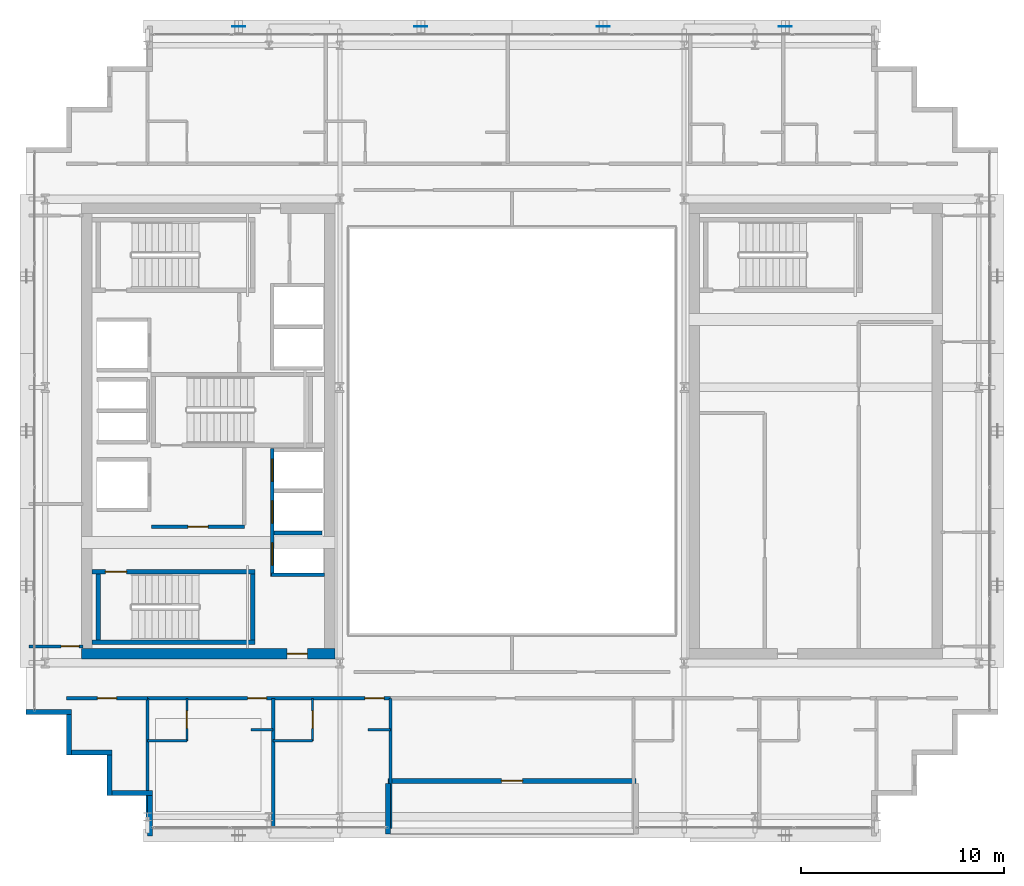
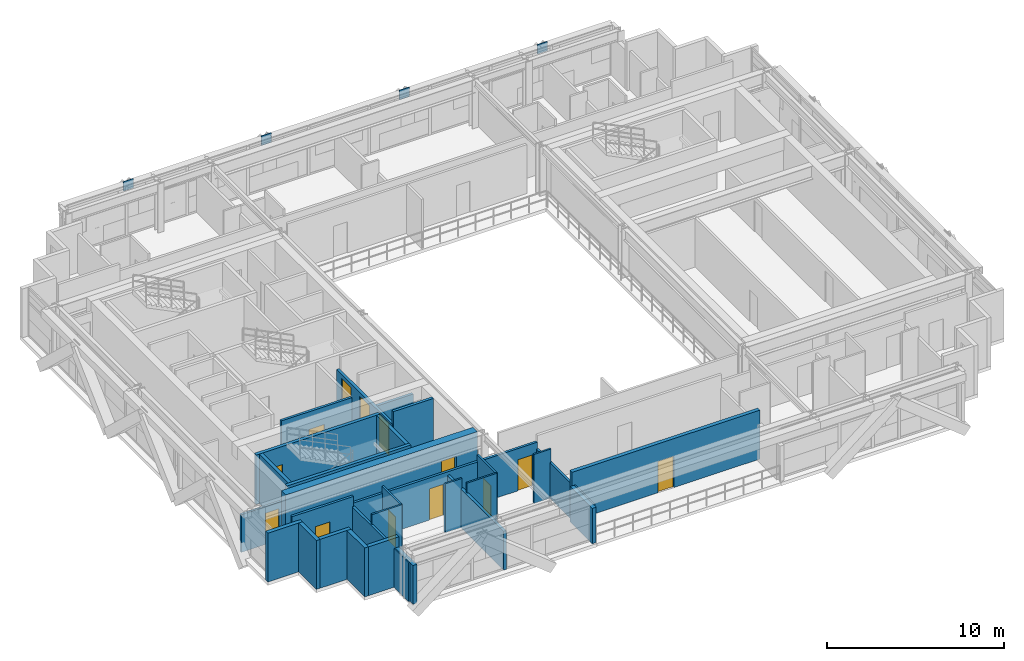
# One storey, part 23 of 31: 29 walls, 13 doors, 4 plates, 13 openings.
"""IFC4 building model written with IfcOpenShell, lengths in metres."""

from ifc_helpers import new_model, si_unit, direction, frame, frame_2d, origin, origin_2d, place, context, subcontext, project, spatial, rectangle, extrude, source, transform, mapped, material, layer, layer_set, type_object, element, fill, save


model = new_model("IFC4")

# Units and contexts
model_context = context("Model", 3, precision=1e-05, world=origin(), true_north=direction((0.0, 1.0)))
body_context = subcontext(model_context, "Body", "Model", "MODEL_VIEW")
ifc_project = project(units=[si_unit("LENGTHUNIT", "METRE"), si_unit("AREAUNIT", "SQUARE_METRE"), si_unit("VOLUMEUNIT", "CUBIC_METRE"), si_unit("PLANEANGLEUNIT", "RADIAN"), si_unit("MASSUNIT", "GRAM", prefix="KILO")], contexts=[model_context])

# Site, building, storey
site_placement = place(None, origin())
site = spatial("IfcSite", under=ifc_project, at=site_placement, CompositionType="ELEMENT")
building_placement = place(site_placement, origin())
building = spatial("IfcBuilding", under=site, at=building_placement, Name="Ocotamira Hotel", CompositionType="ELEMENT")
storey_placement = place(building_placement, frame((0.0, 0.0, 181.199951171875)))
storey = spatial("IfcBuildingStorey", under=building, at=storey_placement, Name="L45", CompositionType="ELEMENT", Elevation=181.199951171875)

# Plates
ifc_material_1 = material(Name="Pale-metal coated steel ASTM A572 Grade 50", Category="steel")
ifc_layer_1 = layer(ifc_material_1, 0.0400390625)
ifc_layer_set_1 = layer_set([ifc_layer_1], Name="Pale-metal coated steel ASTM A572 Grade 50")
plate_type = type_object("IfcPlateType", Name="PLT-GUSSET-40", PredefinedType="SHEET", material=ifc_layer_set_1)
shared_shape_1 = source(origin(), body_context, "Body", "SweptSolid", [
    extrude(rectangle(XDim=0.64990234375, YDim=0.0400390625, at=origin_2d()), origin(), (0.0, 0.0, 1.0), 0.64990234375),
])
for number, where, z_axis, x_axis, name in (
    (1, (18.5, 45.969970703125, 2.795166015625), (0.0, 0.0, 1.0), (1.0, 0.0, 0.0), "L45 Exoskeleton Diagrid N0.1 End Gusset B"),
    (2, (27.5, 45.969970703125, 2.795166015625), (0.0, 0.0, 1.0), (1.0, 0.0, 0.0), "L45 Exoskeleton Diagrid N1.1 End Gusset B"),
    (3, (36.5, 45.969970703125, 2.795166015625), (0.0, 0.0, 1.0), (1.0, 0.0, 0.0), "L45 Exoskeleton Diagrid N2.1 End Gusset B"),
    (4, (45.5, 45.969970703125, 2.795166015625), (0.0, 0.0, 1.0), (1.0, 0.0, 0.0), "L45 Exoskeleton Diagrid N3.1 End Gusset B"),
):
    element("IfcPlate", number, at=place(storey_placement, frame(where, z_axis=z_axis, x_axis=x_axis)), inside=storey, type_object=plate_type, Name=name, PredefinedType="SHEET", context=body_context, shape_type="MappedRepresentation", body=[
        mapped(shared_shape_1, transform((0.0, 0.0, 0.0), scale=1.0)),
    ])

# Wall, opening, door
ifc_material_2 = material(Name="Concrete C50/60", Category="concrete")
ifc_layer_2 = layer(ifc_material_2, 0.5)
ifc_layer_set_2 = layer_set([ifc_layer_2], Name="Concrete C50/60")
wall_type_1 = type_object("IfcWallType", Name="WL-CORE-500", PredefinedType="SHEAR", material=ifc_layer_set_2)
wall_1_placement = place(storey_placement, frame((10.75, 15.0, 0.0), z_axis=(0.0, 0.0, 1.0), x_axis=(1.0, 0.0, 0.0)))
wall_1 = element("IfcWall", 5, at=wall_1_placement, inside=storey, type_object=wall_type_1, Name="L45 Shear Core Wall WCORE-S", PredefinedType="SHEAR", context=body_context, shape_type="SweptSolid", body=[
    extrude(rectangle(XDim=12.5, YDim=0.5, at=frame_2d((6.25, 0.0))), origin(), (0.0, 0.0, 1.0), 3.3701171875),
])
opening_1_placement = place(wall_1_placement, frame((10.14990234375, 0.0, 0.0)))
opening_1 = element("IfcOpeningElement", 6, at=opening_1_placement, cuts=wall_1, Name="Opening D-FR2", PredefinedType="OPENING", context=body_context, shape_type="SweptSolid", body=[
    extrude(rectangle(XDim=1.0, YDim=2.14990234375, at=frame_2d((0.5, 1.074951171875))), frame((0.0, 0.260009765625, 0.0), z_axis=(0.0, -1.0, 0.0), x_axis=(1.0, 0.0, 0.0)), (0.0, 0.0, 1.0), 0.52001953125),
])
ifc_material_3 = material(Name="Fire-rated acoustic timber-veneer door", Category="wood")
door_type_1 = type_object("IfcDoorType", Name="DR-FIRE-1000", OperationType="NOTDEFINED", PredefinedType="DOOR", material=ifc_material_3)
shared_shape_2 = source(origin(), body_context, "Body", "SweptSolid", [
    extrude(rectangle(XDim=1.0, YDim=2.14990234375, at=frame_2d((0.5, 1.074951171875))), frame((0.0, 0.02490234375, 0.0), z_axis=(0.0, -1.0, 0.0), x_axis=(1.0, 0.0, 0.0)), (0.0, 0.0, 1.0), 0.050048828125),
])
door_1_placement = place(opening_1_placement, origin())
door_1 = element("IfcDoor", 7, at=door_1_placement, inside=storey, type_object=door_type_1, Name="L45 Door ID-L45-WLOB-S-D [ID-L45-WLOB-S-D]", OperationType="SINGLE_SWING_LEFT", OverallHeight=2.14990234375, OverallWidth=1.0, PredefinedType="DOOR", context=body_context, shape_type="MappedRepresentation", body=[
    mapped(shared_shape_2, transform((0.0, 0.0, 0.0), scale=1.0)),
])
fill(opening_1, door_1)

# Walls
ifc_material_4 = material(Name="Precast concrete C45/55", Category="concrete")
ifc_layer_3 = layer(ifc_material_4, 0.25)
ifc_layer_set_3 = layer_set([ifc_layer_3], Name="Precast concrete C45/55")
wall_type_2 = type_object("IfcWallType", Name="WL-EXT-SER-250", PredefinedType="SOLIDWALL", material=ifc_layer_set_3)
wall_2_placement = place(storey_placement, frame((8.0, 12.125, 0.0), z_axis=(0.0, 0.0, 1.0), x_axis=(1.0, 0.0, 0.0)))
element("IfcWall", 8, at=wall_2_placement, inside=storey, type_object=wall_type_2, Name="L45 Serrated Corner Wall 19", PredefinedType="SOLIDWALL", context=body_context, shape_type="SweptSolid", body=[
    extrude(rectangle(XDim=2.25, YDim=0.25, at=frame_2d((1.125, 0.0))), origin(), (0.0, 0.0, 1.0), 3.3701171875),
])
for number, where, z_axis, x_axis, name in (
    (9, (10.125, 12.0, 0.0), (0.0, 0.0, 1.0), (0.0, -1.0, 0.0), "L45 Serrated Corner Wall 20"),
    (10, (10.25, 10.125, 0.0), (0.0, 0.0, 1.0), (1.0, 0.0, 0.0), "L45 Serrated Corner Wall 21"),
    (11, (12.125, 10.0, 0.0), (0.0, 0.0, 1.0), (0.0, -1.0, 0.0), "L45 Serrated Corner Wall 22"),
    (12, (12.25, 8.125, 0.0), (0.0, 0.0, 1.0), (1.0, 0.0, 0.0), "L45 Serrated Corner Wall 23"),
):
    element("IfcWall", number, at=place(storey_placement, frame(where, z_axis=z_axis, x_axis=x_axis)), inside=storey, type_object=wall_type_2, Name=name, PredefinedType="SOLIDWALL", context=body_context, shape_type="SweptSolid", body=[
        extrude(rectangle(XDim=2.0, YDim=0.25, at=frame_2d((1.0, 0.0))), origin(), (0.0, 0.0, 1.0), 3.3701171875),
    ])
wall_3_placement = place(storey_placement, frame((14.125, 8.0, 0.0), z_axis=(0.0, 0.0, 1.0), x_axis=(0.0, -1.0, 0.0)))
element("IfcWall", 13, at=wall_3_placement, inside=storey, type_object=wall_type_2, Name="L45 Serrated Corner Wall 24", PredefinedType="SOLIDWALL", context=body_context, shape_type="SweptSolid", body=[
    extrude(rectangle(XDim=2.0, YDim=0.25, at=frame_2d((1.0, 0.0))), origin(), (0.0, 0.0, 1.0), 2.677001953125),
])

# Wall, opening, door
wall_4_placement = place(storey_placement, frame((25.875, 8.72509765625, 0.0), z_axis=(0.0, 0.0, 1.0), x_axis=(1.0, 0.0, 0.0)))
wall_4 = element("IfcWall", 14, at=wall_4_placement, inside=storey, type_object=wall_type_2, Name="L45 Sky Terrace Back Wall 1", PredefinedType="SOLIDWALL", context=body_context, shape_type="SweptSolid", body=[
    extrude(rectangle(XDim=12.25, YDim=0.25, at=frame_2d((6.125, 0.0))), origin(), (0.0, 0.0, 1.0), 3.3701171875),
])
opening_2_placement = place(wall_4_placement, frame((5.60009765625, 0.0, 0.0)))
opening_2 = element("IfcOpeningElement", 15, at=opening_2_placement, cuts=wall_4, Name="Opening ED-3", PredefinedType="OPENING", context=body_context, shape_type="SweptSolid", body=[
    extrude(rectangle(XDim=1.050048828125, YDim=2.14990234375, at=frame_2d((0.52490234375, 1.074951171875))), frame((0.0, 0.135009765625, 0.0), z_axis=(0.0, -1.0, 0.0), x_axis=(1.0, 0.0, 0.0)), (0.0, 0.0, 1.0), 0.27001953125),
])
ifc_material_5 = material(Name="Thermally broken aluminium glazed door", Category="aluminium")
door_type_2 = type_object("IfcDoorType", Name="DR-TERR-1050", OperationType="NOTDEFINED", PredefinedType="DOOR", material=ifc_material_5)
shared_shape_3 = source(origin(), body_context, "Body", "SweptSolid", [
    extrude(rectangle(XDim=1.050048828125, YDim=2.14990234375, at=frame_2d((0.52490234375, 1.074951171875))), frame((0.0, 0.02490234375, 0.0), z_axis=(0.0, -1.0, 0.0), x_axis=(1.0, 0.0, 0.0)), (0.0, 0.0, 1.0), 0.050048828125),
])
door_2_placement = place(opening_2_placement, origin())
door_2 = element("IfcDoor", 16, at=door_2_placement, inside=storey, type_object=door_type_2, Name="L45 Sky Terrace Access Door 1 [ED-BAL-L45-1]", OperationType="SINGLE_SWING_LEFT", OverallHeight=2.14990234375, OverallWidth=1.050048828125, PredefinedType="DOOR", context=body_context, shape_type="MappedRepresentation", body=[
    mapped(shared_shape_3, transform((0.0, 0.0, 0.0), scale=1.0)),
])
fill(opening_2, door_2)

# Wall
wall_5_placement = place(storey_placement, frame((25.875, 6.10009765625, 0.0), z_axis=(0.0, 0.0, 1.0), x_axis=(0.0, 1.0, 0.0)))
element("IfcWall", 17, at=wall_5_placement, inside=storey, type_object=wall_type_2, Name="L45 Sky Terrace Return Wall 1L", PredefinedType="SOLIDWALL", context=body_context, shape_type="SweptSolid", body=[
    extrude(rectangle(XDim=2.5, YDim=0.25, at=frame_2d((1.25, 0.0))), origin(), (0.0, 0.0, 1.0), 2.443115234375),
])

# Wall, opening, door
ifc_material_6 = material(Name="Acoustic double-layer fire gypsum board partition", Category="gypsum")
ifc_layer_4 = layer(ifc_material_6, 0.159912109375)
ifc_layer_set_4 = layer_set([ifc_layer_4], Name="Acoustic double-layer fire gypsum board partition")
wall_type_3 = type_object("IfcWallType", Name="WL-FIRE-160", PredefinedType="PARTITIONING", material=ifc_layer_set_4)
wall_6_placement = place(storey_placement, frame((14.199951171875, 21.27001953125, 0.0), z_axis=(0.0, 0.0, 1.0), x_axis=(1.0, 0.0, 0.0)))
wall_6 = element("IfcWall", 18, at=wall_6_placement, inside=storey, type_object=wall_type_3, Name="L45 Interior Wall PW-L45-FSAE1-S", PredefinedType="PARTITIONING", context=body_context, shape_type="SweptSolid", body=[
    extrude(rectangle(XDim=4.580078125, YDim=0.159912109375, at=frame_2d((2.2900390625, 0.0))), origin(), (0.0, 0.0, 1.0), 3.3701171875),
])
opening_3_placement = place(wall_6_placement, frame((1.800048828125, 0.0, 0.0)))
opening_3 = element("IfcOpeningElement", 19, at=opening_3_placement, cuts=wall_6, Name="Opening D-FR2", PredefinedType="OPENING", context=body_context, shape_type="SweptSolid", body=[
    extrude(rectangle(XDim=1.0, YDim=2.14990234375, at=frame_2d((0.5, 1.074951171875))), frame((0.0, 0.08984375, 0.0), z_axis=(0.0, -1.0, 0.0), x_axis=(1.0, 0.0, 0.0)), (0.0, 0.0, 1.0), 0.179931640625),
])
door_3_placement = place(opening_3_placement, origin())
door_3 = element("IfcDoor", 20, at=door_3_placement, inside=storey, type_object=door_type_1, Name="L45 Door ID-L45-FSAE1-D [ID-L45-FSAE1-D]", OperationType="SINGLE_SWING_LEFT", OverallHeight=2.14990234375, OverallWidth=1.0, PredefinedType="DOOR", context=body_context, shape_type="MappedRepresentation", body=[
    mapped(shared_shape_2, transform((0.0, 0.0, 0.0), scale=1.0)),
])
fill(opening_3, door_3)

wall_7_placement = place(storey_placement, frame((10.0, 12.800048828125, 0.0), z_axis=(0.0, 0.0, 1.0), x_axis=(1.0, 0.0, 0.0)))
wall_7 = element("IfcWall", 21, at=wall_7_placement, inside=storey, type_object=wall_type_3, Name="L45 Interior Wall PW-L45-Z3B-CSW-CW", PredefinedType="PARTITIONING", context=body_context, shape_type="SweptSolid", body=[
    extrude(rectangle(XDim=4.0, YDim=0.159912109375, at=frame_2d((2.0, 0.0))), origin(), (0.0, 0.0, 1.0), 3.3701171875),
])
opening_4_placement = place(wall_7_placement, frame((1.52001953125, 0.0, 0.0)))
opening_4 = element("IfcOpeningElement", 22, at=opening_4_placement, cuts=wall_7, Name="Opening D-SV4", PredefinedType="OPENING", context=body_context, shape_type="SweptSolid", body=[
    extrude(rectangle(XDim=0.9599609375, YDim=2.14990234375, at=frame_2d((0.47998046875, 1.074951171875))), frame((0.0, 0.08984375, 0.0), z_axis=(0.0, -1.0, 0.0), x_axis=(1.0, 0.0, 0.0)), (0.0, 0.0, 1.0), 0.179931640625),
])
ifc_material_7 = material(Name="Fire-rated accessible walnut salon door", Category="wood")
door_type_3 = type_object("IfcDoorType", Name="DR-SERV-960", OperationType="NOTDEFINED", PredefinedType="DOOR", material=ifc_material_7)
shared_shape_4 = source(origin(), body_context, "Body", "SweptSolid", [
    extrude(rectangle(XDim=0.9599609375, YDim=2.14990234375, at=frame_2d((0.47998046875, 1.074951171875))), frame((0.0, 0.02490234375, 0.0), z_axis=(0.0, -1.0, 0.0), x_axis=(1.0, 0.0, 0.0)), (0.0, 0.0, 1.0), 0.050048828125),
])
door_4_placement = place(opening_4_placement, origin())
door_4 = element("IfcDoor", 23, at=door_4_placement, inside=storey, type_object=door_type_3, Name="L45 Door ID-L45-Z3B-CSW-CD [ID-L45-Z3B-CSW-CD]", OperationType="SINGLE_SWING_LEFT", OverallHeight=2.14990234375, OverallWidth=0.9599609375, PredefinedType="DOOR", context=body_context, shape_type="MappedRepresentation", body=[
    mapped(shared_shape_4, transform((0.0, 0.0, 0.0), scale=1.0)),
])
fill(opening_4, door_4)

# Wall, openings, doors
wall_8_placement = place(storey_placement, frame((14.0, 12.800048828125, 0.0), z_axis=(0.0, 0.0, 1.0), x_axis=(1.0, 0.0, 0.0)))
wall_8 = element("IfcWall", 24, at=wall_8_placement, inside=storey, type_object=wall_type_3, Name="L45 Interior Wall PW-L45-Z3BSW-CORRW", PredefinedType="PARTITIONING", context=body_context, shape_type="SweptSolid", body=[
    extrude(rectangle(XDim=12.0, YDim=0.159912109375, at=frame_2d((6.0, 0.0))), origin(), (0.0, 0.0, 1.0), 2.9130859375),
])
opening_5_placement = place(wall_8_placement, frame((4.93994140625, 0.0, 0.0)))
opening_5 = element("IfcOpeningElement", 25, at=opening_5_placement, cuts=wall_8, Name="Opening D-GR1", PredefinedType="OPENING", context=body_context, shape_type="SweptSolid", body=[
    extrude(rectangle(XDim=0.93994140625, YDim=2.14990234375, at=frame_2d((0.469970703125, 1.074951171875))), frame((0.0, 0.08984375, 0.0), z_axis=(0.0, -1.0, 0.0), x_axis=(1.0, 0.0, 0.0)), (0.0, 0.0, 1.0), 0.179931640625),
])
opening_6_placement = place(wall_8_placement, frame((10.739990234375, 0.0, 0.0)))
opening_6 = element("IfcOpeningElement", 26, at=opening_6_placement, cuts=wall_8, Name="Opening D-GR1", PredefinedType="OPENING", context=body_context, shape_type="SweptSolid", body=[
    extrude(rectangle(XDim=0.93994140625, YDim=2.14990234375, at=frame_2d((0.469970703125, 1.074951171875))), frame((0.0, 0.08984375, 0.0), z_axis=(0.0, -1.0, 0.0), x_axis=(1.0, 0.0, 0.0)), (0.0, 0.0, 1.0), 0.179931640625),
])
ifc_material_8 = material(Name="Solid-core walnut suite entrance fire door", Category="wood")
door_type_4 = type_object("IfcDoorType", Name="DR-GUEST-940", OperationType="NOTDEFINED", PredefinedType="DOOR", material=ifc_material_8)
shared_shape_5 = source(origin(), body_context, "Body", "SweptSolid", [
    extrude(rectangle(XDim=0.93994140625, YDim=2.14990234375, at=frame_2d((0.469970703125, 1.074951171875))), frame((0.0, 0.02490234375, 0.0), z_axis=(0.0, -1.0, 0.0), x_axis=(1.0, 0.0, 0.0)), (0.0, 0.0, 1.0), 0.050048828125),
])
door_5_placement = place(opening_5_placement, origin())
door_5 = element("IfcDoor", 27, at=door_5_placement, inside=storey, type_object=door_type_4, Name="L45 Door ID-L45-Z3BSW-RMD1 [ID-L45-Z3BSW-RMD1]", OperationType="SINGLE_SWING_LEFT", OverallHeight=2.14990234375, OverallWidth=0.93994140625, PredefinedType="DOOR", context=body_context, shape_type="MappedRepresentation", body=[
    mapped(shared_shape_5, transform((0.0, 0.0, 0.0), scale=1.0)),
])
fill(opening_5, door_5)
door_6_placement = place(opening_6_placement, origin())
door_6 = element("IfcDoor", 28, at=door_6_placement, inside=storey, type_object=door_type_4, Name="L45 Door ID-L45-Z3BSW-RMD2 [ID-L45-Z3BSW-RMD2]", OperationType="SINGLE_SWING_RIGHT", OverallHeight=2.14990234375, OverallWidth=0.93994140625, PredefinedType="DOOR", context=body_context, shape_type="MappedRepresentation", body=[
    mapped(shared_shape_5, transform((0.0, 0.0, 0.0), scale=1.0)),
])
fill(opening_6, door_6)

# Wall, opening, door
ifc_material_9 = material(Name="Moisture-resistant en-suite tile and gypsum partition", Category="gypsum")
ifc_layer_5 = layer(ifc_material_9, 0.1201171875)
ifc_layer_set_5 = layer_set([ifc_layer_5], Name="Moisture-resistant en-suite tile and gypsum partition")
wall_type_4 = type_object("IfcWallType", Name="WL-PART-120", PredefinedType="PARTITIONING", material=ifc_layer_set_5)
wall_9_placement = place(storey_placement, frame((15.949951171875, 10.699951171875, 0.0), z_axis=(0.0, 0.0, 1.0), x_axis=(0.0, 1.0, 0.0)))
wall_9 = element("IfcWall", 29, at=wall_9_placement, inside=storey, type_object=wall_type_4, Name="L45 Interior Wall PW-L45-Z3BSW-BAE1", PredefinedType="PARTITIONING", context=body_context, shape_type="SweptSolid", body=[
    extrude(rectangle(XDim=2.10009765625, YDim=0.1201171875, at=frame_2d((1.050048828125, 0.0))), origin(), (0.0, 0.0, 1.0), 3.3701171875),
])
opening_7_placement = place(wall_9_placement, frame((0.6201171875, 0.0, 0.0)))
opening_7 = element("IfcOpeningElement", 30, at=opening_7_placement, cuts=wall_9, Name="Opening D-BA1", PredefinedType="OPENING", context=body_context, shape_type="SweptSolid", body=[
    extrude(rectangle(XDim=0.860107421875, YDim=2.10009765625, at=frame_2d((0.43017578125, 1.050048828125))), frame((0.0, 0.070068359375, 0.0), z_axis=(0.0, -1.0, 0.0), x_axis=(1.0, 0.0, 0.0)), (0.0, 0.0, 1.0), 0.14013671875),
])
ifc_material_10 = material(Name="Moisture-sealed en-suite timber door", Category="wood")
door_type_5 = type_object("IfcDoorType", Name="DR-BATH-860", OperationType="NOTDEFINED", PredefinedType="DOOR", material=ifc_material_10)
shared_shape_6 = source(origin(), body_context, "Body", "SweptSolid", [
    extrude(rectangle(XDim=0.860107421875, YDim=2.10009765625, at=frame_2d((0.43017578125, 1.050048828125))), frame((0.0, 0.02490234375, 0.0), z_axis=(0.0, -1.0, 0.0), x_axis=(1.0, 0.0, 0.0)), (0.0, 0.0, 1.0), 0.050048828125),
])
door_7_placement = place(opening_7_placement, origin())
door_7 = element("IfcDoor", 31, at=door_7_placement, inside=storey, type_object=door_type_5, Name="L45 Door ID-L45-Z3BSW-BAD1 [ID-L45-Z3BSW-BAD1]", OperationType="SINGLE_SWING_RIGHT", OverallHeight=2.10009765625, OverallWidth=0.860107421875, PredefinedType="DOOR", context=body_context, shape_type="MappedRepresentation", body=[
    mapped(shared_shape_6, transform((0.0, 0.0, 0.0), scale=1.0)),
])
fill(opening_7, door_7)

# Walls
wall_10_placement = place(storey_placement, frame((14.0, 10.699951171875, 0.0), z_axis=(0.0, 0.0, 1.0), x_axis=(1.0, 0.0, 0.0)))
element("IfcWall", 32, at=wall_10_placement, inside=storey, type_object=wall_type_4, Name="L45 Interior Wall PW-L45-Z3BSW-BAS1", PredefinedType="PARTITIONING", context=body_context, shape_type="SweptSolid", body=[
    extrude(rectangle(XDim=1.949951171875, YDim=0.1201171875, at=frame_2d((0.97509765625, 0.0))), origin(), (0.0, 0.0, 1.0), 3.3701171875),
])
wall_11_placement = place(storey_placement, frame((19.10009765625, 11.25, 0.0), z_axis=(0.0, 0.0, 1.0), x_axis=(1.0, 0.0, 0.0)))
element("IfcWall", 33, at=wall_11_placement, inside=storey, type_object=wall_type_4, Name="L45 Interior Wall PW-L45-Z3BSW-DRN1", PredefinedType="PARTITIONING", context=body_context, shape_type="SweptSolid", body=[
    extrude(rectangle(XDim=1.099853515625, YDim=0.1201171875, at=frame_2d((0.5498046875, 0.0))), origin(), (0.0, 0.0, 1.0), 3.3701171875),
])

# Wall, opening, door
wall_12_placement = place(storey_placement, frame((22.14990234375, 10.699951171875, 0.0), z_axis=(0.0, 0.0, 1.0), x_axis=(0.0, 1.0, 0.0)))
wall_12 = element("IfcWall", 34, at=wall_12_placement, inside=storey, type_object=wall_type_4, Name="L45 Interior Wall PW-L45-Z3BSW-BAE2", PredefinedType="PARTITIONING", context=body_context, shape_type="SweptSolid", body=[
    extrude(rectangle(XDim=2.10009765625, YDim=0.1201171875, at=frame_2d((1.050048828125, 0.0))), origin(), (0.0, 0.0, 1.0), 3.3701171875),
])
opening_8_placement = place(wall_12_placement, frame((0.6201171875, 0.0, 0.0)))
opening_8 = element("IfcOpeningElement", 35, at=opening_8_placement, cuts=wall_12, Name="Opening D-BA1", PredefinedType="OPENING", context=body_context, shape_type="SweptSolid", body=[
    extrude(rectangle(XDim=0.860107421875, YDim=2.10009765625, at=frame_2d((0.43017578125, 1.050048828125))), frame((0.0, 0.070068359375, 0.0), z_axis=(0.0, -1.0, 0.0), x_axis=(1.0, 0.0, 0.0)), (0.0, 0.0, 1.0), 0.14013671875),
])
door_8_placement = place(opening_8_placement, origin())
door_8 = element("IfcDoor", 36, at=door_8_placement, inside=storey, type_object=door_type_5, Name="L45 Door ID-L45-Z3BSW-BAD2 [ID-L45-Z3BSW-BAD2]", OperationType="SINGLE_SWING_LEFT", OverallHeight=2.10009765625, OverallWidth=0.860107421875, PredefinedType="DOOR", context=body_context, shape_type="MappedRepresentation", body=[
    mapped(shared_shape_6, transform((0.0, 0.0, 0.0), scale=1.0)),
])
fill(opening_8, door_8)

# Walls
wall_13_placement = place(storey_placement, frame((20.199951171875, 10.699951171875, 0.0), z_axis=(0.0, 0.0, 1.0), x_axis=(1.0, 0.0, 0.0)))
element("IfcWall", 37, at=wall_13_placement, inside=storey, type_object=wall_type_4, Name="L45 Interior Wall PW-L45-Z3BSW-BAS2", PredefinedType="PARTITIONING", context=body_context, shape_type="SweptSolid", body=[
    extrude(rectangle(XDim=1.949951171875, YDim=0.1201171875, at=frame_2d((0.97509765625, 0.0))), origin(), (0.0, 0.0, 1.0), 3.3701171875),
])
wall_14_placement = place(storey_placement, frame((24.89990234375, 11.25, 0.0), z_axis=(0.0, 0.0, 1.0), x_axis=(1.0, 0.0, 0.0)))
element("IfcWall", 38, at=wall_14_placement, inside=storey, type_object=wall_type_4, Name="L45 Interior Wall PW-L45-Z3BSW-DRN2", PredefinedType="PARTITIONING", context=body_context, shape_type="SweptSolid", body=[
    extrude(rectangle(XDim=1.10009765625, YDim=0.1201171875, at=frame_2d((0.550048828125, 0.0))), origin(), (0.0, 0.0, 1.0), 3.3701171875),
])

# Wall, opening, door
ifc_material_11 = material(Name="Acoustic hospitality gypsum board partition", Category="gypsum")
ifc_layer_6 = layer(ifc_material_11, 0.14990234375)
ifc_layer_set_6 = layer_set([ifc_layer_6], Name="Acoustic hospitality gypsum board partition")
wall_type_5 = type_object("IfcWallType", Name="WL-PART-150", PredefinedType="PARTITIONING", material=ifc_layer_set_6)
wall_15_placement = place(storey_placement, frame((8.159912109375, 15.360107421875, 0.0), z_axis=(0.0, 0.0, 1.0), x_axis=(1.0, 0.0, 0.0)))
wall_15 = element("IfcWall", 39, at=wall_15_placement, inside=storey, type_object=wall_type_5, Name="L45 Interior Wall PW-L45-Z3B-WF-WS", PredefinedType="PARTITIONING", context=body_context, shape_type="SweptSolid", body=[
    extrude(rectangle(XDim=2.66015625, YDim=0.14990234375, at=frame_2d((1.330078125, 0.0))), origin(), (0.0, 0.0, 1.0), 2.591064453125),
])
opening_9_placement = place(wall_15_placement, frame((1.580078125, 0.0, 0.0)))
opening_9 = element("IfcOpeningElement", 40, at=opening_9_placement, cuts=wall_15, Name="Opening D-SV2", PredefinedType="OPENING", context=body_context, shape_type="SweptSolid", body=[
    extrude(rectangle(XDim=0.8798828125, YDim=2.14990234375, at=frame_2d((0.43994140625, 1.074951171875))), frame((0.0, 0.0849609375, 0.0), z_axis=(0.0, -1.0, 0.0), x_axis=(1.0, 0.0, 0.0)), (0.0, 0.0, 1.0), 0.169921875),
])
ifc_material_12 = material(Name="Fire-rated painted steel service door", Category="steel")
door_type_6 = type_object("IfcDoorType", Name="DR-SERV-880", OperationType="NOTDEFINED", PredefinedType="DOOR", material=ifc_material_12)
shared_shape_7 = source(origin(), body_context, "Body", "SweptSolid", [
    extrude(rectangle(XDim=0.8798828125, YDim=2.14990234375, at=frame_2d((0.43994140625, 1.074951171875))), frame((0.0, 0.02490234375, 0.0), z_axis=(0.0, -1.0, 0.0), x_axis=(1.0, 0.0, 0.0)), (0.0, 0.0, 1.0), 0.050048828125),
])
door_9_placement = place(opening_9_placement, origin())
door_9 = element("IfcDoor", 41, at=door_9_placement, inside=storey, type_object=door_type_6, Name="L45 Door ID-L45-Z3B-WF-DS [ID-L45-Z3B-WF-DS]", OperationType="SINGLE_SWING_LEFT", OverallHeight=2.14990234375, OverallWidth=0.8798828125, PredefinedType="DOOR", context=body_context, shape_type="MappedRepresentation", body=[
    mapped(shared_shape_7, transform((0.0, 0.0, 0.0), scale=1.0)),
])
fill(opening_9, door_9)

# Walls
ifc_material_13 = material(Name="Acoustic double-stud hospitality gypsum partition", Category="gypsum")
ifc_layer_7 = layer(ifc_material_13, 0.159912109375)
ifc_layer_set_7 = layer_set([ifc_layer_7], Name="Acoustic double-stud hospitality gypsum partition")
wall_type_6 = type_object("IfcWallType", Name="WL-PART-160", PredefinedType="PARTITIONING", material=ifc_layer_set_7)
wall_16_placement = place(storey_placement, frame((14.0, 6.360107421875, 0.0), z_axis=(0.0, 0.0, 1.0), x_axis=(0.0, 1.0, 0.0)))
element("IfcWall", 42, at=wall_16_placement, inside=storey, type_object=wall_type_6, Name="L45 Interior Wall PW-L45-Z3BSW-PW0", PredefinedType="PARTITIONING", context=body_context, shape_type="SweptSolid", body=[
    extrude(rectangle(XDim=6.43994140625, YDim=0.159912109375, at=frame_2d((3.219970703125, 0.0))), origin(), (0.0, 0.0, 1.0), 2.677001953125),
])
wall_17_placement = place(storey_placement, frame((26.0, 6.360107421875, 0.0), z_axis=(0.0, 0.0, 1.0), x_axis=(0.0, 1.0, 0.0)))
element("IfcWall", 43, at=wall_17_placement, inside=storey, type_object=wall_type_6, Name="L45 Interior Wall PW-L45-Z3BSW-PWEND", PredefinedType="PARTITIONING", context=body_context, shape_type="SweptSolid", body=[
    extrude(rectangle(XDim=6.43994140625, YDim=0.159912109375, at=frame_2d((3.219970703125, 0.0))), origin(), (0.0, 0.0, 1.0), 2.443115234375),
])
ifc_material_14 = material(Name="Double-stud suite party gypsum partition", Category="gypsum")
ifc_layer_8 = layer(ifc_material_14, 0.175048828125)
ifc_layer_set_8 = layer_set([ifc_layer_8], Name="Double-stud suite party gypsum partition")
wall_type_7 = type_object("IfcWallType", Name="WL-PART-175", PredefinedType="PARTITIONING", material=ifc_layer_set_8)
wall_18_placement = place(storey_placement, frame((20.199951171875, 6.360107421875, 0.0), z_axis=(0.0, 0.0, 1.0), x_axis=(0.0, 1.0, 0.0)))
element("IfcWall", 44, at=wall_18_placement, inside=storey, type_object=wall_type_7, Name="L45 Interior Wall PW-L45-Z3BSW-PW1", PredefinedType="PARTITIONING", context=body_context, shape_type="SweptSolid", body=[
    extrude(rectangle(XDim=6.43994140625, YDim=0.175048828125, at=frame_2d((3.219970703125, 0.0))), origin(), (0.0, 0.0, 1.0), 2.677001953125),
])

# Wall, openings, doors
ifc_material_15 = material(Name="Fire-rated gypsum shaftliner board assembly", Category="gypsum")
ifc_layer_9 = layer(ifc_material_15, 0.179931640625)
ifc_layer_set_9 = layer_set([ifc_layer_9], Name="Fire-rated gypsum shaftliner board assembly")
wall_type_8 = type_object("IfcWallType", Name="WL-SHAFT-180", PredefinedType="SOLIDWALL", material=ifc_layer_set_9)
wall_19_placement = place(storey_placement, frame((20.159912109375, 18.820068359375, 0.0), z_axis=(0.0, 0.0, 1.0), x_axis=(0.0, 1.0, 0.0)))
wall_19 = element("IfcWall", 45, at=wall_19_placement, inside=storey, type_object=wall_type_8, Name="L45 Interior Wall PW-L45-LFW-BANK-high-F", PredefinedType="SOLIDWALL", context=body_context, shape_type="SweptSolid", body=[
    extrude(rectangle(XDim=6.31982421875, YDim=0.179931640625, at=frame_2d((3.159912109375, 0.0))), origin(), (0.0, 0.0, 1.0), 2.469970703125),
])
opening_10_placement = place(wall_19_placement, frame((0.554931640625, 0.0, 0.0)))
opening_10 = element("IfcOpeningElement", 46, at=opening_10_placement, cuts=wall_19, Name="Opening LD-LF-P7", PredefinedType="OPENING", context=body_context, shape_type="SweptSolid", body=[
    extrude(rectangle(XDim=1.10009765625, YDim=2.199951171875, at=frame_2d((0.550048828125, 1.10009765625))), frame((0.0, 0.10009765625, 0.0), z_axis=(0.0, -1.0, 0.0), x_axis=(1.0, 0.0, 0.0)), (0.0, 0.0, 1.0), 0.199951171875),
])
opening_11_placement = place(wall_19_placement, frame((2.635009765625, 0.0, 0.0)))
opening_11 = element("IfcOpeningElement", 47, at=opening_11_placement, cuts=wall_19, Name="Opening LD-LF-P8", PredefinedType="OPENING", context=body_context, shape_type="SweptSolid", body=[
    extrude(rectangle(XDim=1.10009765625, YDim=2.199951171875, at=frame_2d((0.550048828125, 1.10009765625))), frame((0.0, 0.10009765625, 0.0), z_axis=(0.0, -1.0, 0.0), x_axis=(1.0, 0.0, 0.0)), (0.0, 0.0, 1.0), 0.199951171875),
])
opening_12_placement = place(wall_19_placement, frame((4.68994140625, 0.0, 0.0)))
opening_12 = element("IfcOpeningElement", 48, at=opening_12_placement, cuts=wall_19, Name="Opening LD-LF-P9", PredefinedType="OPENING", context=body_context, shape_type="SweptSolid", body=[
    extrude(rectangle(XDim=1.10009765625, YDim=2.199951171875, at=frame_2d((0.550048828125, 1.10009765625))), frame((0.0, 0.10009765625, 0.0), z_axis=(0.0, -1.0, 0.0), x_axis=(1.0, 0.0, 0.0)), (0.0, 0.0, 1.0), 0.199951171875),
])
ifc_material_16 = material(Name="Brushed pale-metal stainless elevator landing door", Category="steel")
door_type_7 = type_object("IfcDoorType", Name="DR-LIFT-1100", OperationType="NOTDEFINED", PredefinedType="DOOR", material=ifc_material_16)
shared_shape_8 = source(origin(), body_context, "Body", "SweptSolid", [
    extrude(rectangle(XDim=1.10009765625, YDim=2.199951171875, at=frame_2d((0.550048828125, 1.10009765625))), frame((0.0, 0.02490234375, 0.0), z_axis=(0.0, -1.0, 0.0), x_axis=(1.0, 0.0, 0.0)), (0.0, 0.0, 1.0), 0.050048828125),
])
door_10_placement = place(opening_10_placement, origin())
door_10 = element("IfcDoor", 49, at=door_10_placement, inside=storey, type_object=door_type_7, Name="L45 Landing Door LD-LF-P7 [ID-L45-LD-LF-P7]", OperationType="DOUBLE_DOOR_SLIDING", OverallHeight=2.199951171875, OverallWidth=1.10009765625, PredefinedType="DOOR", context=body_context, shape_type="MappedRepresentation", body=[
    mapped(shared_shape_8, transform((0.0, 0.0, 0.0), scale=1.0)),
])
fill(opening_10, door_10)
door_11_placement = place(opening_11_placement, origin())
door_11 = element("IfcDoor", 50, at=door_11_placement, inside=storey, type_object=door_type_7, Name="L45 Landing Door LD-LF-P8 [ID-L45-LD-LF-P8]", OperationType="DOUBLE_DOOR_SLIDING", OverallHeight=2.199951171875, OverallWidth=1.10009765625, PredefinedType="DOOR", context=body_context, shape_type="MappedRepresentation", body=[
    mapped(shared_shape_8, transform((0.0, 0.0, 0.0), scale=1.0)),
])
fill(opening_11, door_11)
door_12_placement = place(opening_12_placement, origin())
door_12 = element("IfcDoor", 51, at=door_12_placement, inside=storey, type_object=door_type_7, Name="L45 Landing Door LD-LF-P9 [ID-L45-LD-LF-P9]", OperationType="DOUBLE_DOOR_SLIDING", OverallHeight=2.199951171875, OverallWidth=1.10009765625, PredefinedType="DOOR", context=body_context, shape_type="MappedRepresentation", body=[
    mapped(shared_shape_8, transform((0.0, 0.0, 0.0), scale=1.0)),
])
fill(opening_12, door_12)

# Walls
wall_20_placement = place(storey_placement, frame((20.1201171875, 18.909912109375, 0.0), z_axis=(0.0, 0.0, 1.0), x_axis=(1.0, 0.0, 0.0)))
element("IfcWall", 52, at=wall_20_placement, inside=storey, type_object=wall_type_8, Name="L45 Interior Wall PW-L45-LFW-BANK-high-S", PredefinedType="SOLIDWALL", context=body_context, shape_type="SweptSolid", body=[
    extrude(rectangle(XDim=2.6298828125, YDim=0.179931640625, at=frame_2d((1.31494140625, 0.0))), origin(), (0.0, 0.0, 1.0), 3.3701171875),
])
wall_21_placement = place(storey_placement, frame((20.25, 20.965087890625, 0.0), z_axis=(0.0, 0.0, 1.0), x_axis=(1.0, 0.0, 0.0)))
element("IfcWall", 53, at=wall_21_placement, inside=storey, type_object=wall_type_8, Name="L45 Interior Wall PW-L45-LFW-DIV-LF-P7", PredefinedType="SOLIDWALL", context=body_context, shape_type="SweptSolid", body=[
    extrude(rectangle(XDim=2.360107421875, YDim=0.179931640625, at=frame_2d((1.18017578125, 0.0))), origin(), (0.0, 0.0, 1.0), 2.469970703125),
])
ifc_layer_10 = layer(ifc_material_2, 0.219970703125)
ifc_layer_set_10 = layer_set([ifc_layer_10], Name="Concrete C50/60")
wall_type_9 = type_object("IfcWallType", Name="WL-STAIR-220", PredefinedType="SHEAR", material=ifc_layer_set_10)
wall_22_placement = place(storey_placement, frame((11.25, 15.56005859375, 0.0), z_axis=(0.0, 0.0, 1.0), x_axis=(1.0, 0.0, 0.0)))
element("IfcWall", 54, at=wall_22_placement, inside=storey, type_object=wall_type_9, Name="L45 Stair Shaft Structural Wall ST-1-S", PredefinedType="SHEAR", context=body_context, shape_type="SweptSolid", body=[
    extrude(rectangle(XDim=8.06005859375, YDim=0.219970703125, at=frame_2d((4.030029296875, 0.0))), origin(), (0.0, 0.0, 1.0), 3.400146484375),
])

# Wall, opening, door
wall_23_placement = place(storey_placement, frame((11.25, 19.06005859375, 0.0), z_axis=(0.0, 0.0, 1.0), x_axis=(1.0, 0.0, 0.0)))
wall_23 = element("IfcWall", 55, at=wall_23_placement, inside=storey, type_object=wall_type_9, Name="L45 Stair Shaft Structural Wall ST-1-N", PredefinedType="SHEAR", context=body_context, shape_type="SweptSolid", body=[
    extrude(rectangle(XDim=8.06005859375, YDim=0.219970703125, at=frame_2d((4.030029296875, 0.0))), origin(), (0.0, 0.0, 1.0), 3.400146484375),
])
opening_13_placement = place(wall_23_placement, frame((0.669921875, 0.0, 0.0)))
opening_13 = element("IfcOpeningElement", 56, at=opening_13_placement, cuts=wall_23, Name="Opening D-ST2", PredefinedType="OPENING", context=body_context, shape_type="SweptSolid", body=[
    extrude(rectangle(XDim=1.050048828125, YDim=2.14990234375, at=frame_2d((0.52490234375, 1.074951171875))), frame((0.0, 0.1201171875, 0.0), z_axis=(0.0, -1.0, 0.0), x_axis=(1.0, 0.0, 0.0)), (0.0, 0.0, 1.0), 0.239990234375),
])
ifc_material_17 = material(Name="Insulated painted hollow-metal fire exit door", Category="steel")
door_type_8 = type_object("IfcDoorType", Name="DR-STAIR-1050", OperationType="NOTDEFINED", PredefinedType="DOOR", material=ifc_material_17)
door_13_placement = place(opening_13_placement, origin())
door_13 = element("IfcDoor", 57, at=door_13_placement, inside=storey, type_object=door_type_8, Name="L45 Door ID-L45-STD-ST-1 [ID-L45-STD-ST-1]", OperationType="SINGLE_SWING_RIGHT", OverallHeight=2.14990234375, OverallWidth=1.050048828125, PredefinedType="DOOR", context=body_context, shape_type="MappedRepresentation", body=[
    mapped(shared_shape_3, transform((0.0, 0.0, 0.0), scale=1.0)),
])
fill(opening_13, door_13)

# Walls
for number, where, z_axis, x_axis, name in (
    (58, (11.56005859375, 15.669921875, 0.0), (0.0, 0.0, 1.0), (0.0, 1.0, 0.0), "L45 Stair Shaft Structural Wall ST-1-W"),
    (59, (19.199951171875, 15.669921875, 0.0), (0.0, 0.0, 1.0), (0.0, 1.0, 0.0), "L45 Stair Shaft Structural Wall ST-1-E"),
):
    element("IfcWall", number, at=place(storey_placement, frame(where, z_axis=z_axis, x_axis=x_axis)), inside=storey, type_object=wall_type_9, Name=name, PredefinedType="SHEAR", context=body_context, shape_type="SweptSolid", body=[
        extrude(rectangle(XDim=3.280029296875, YDim=0.219970703125, at=frame_2d((1.64013671875, 0.0))), origin(), (0.0, 0.0, 1.0), 3.400146484375),
    ])

save(model, "model.ifc")
